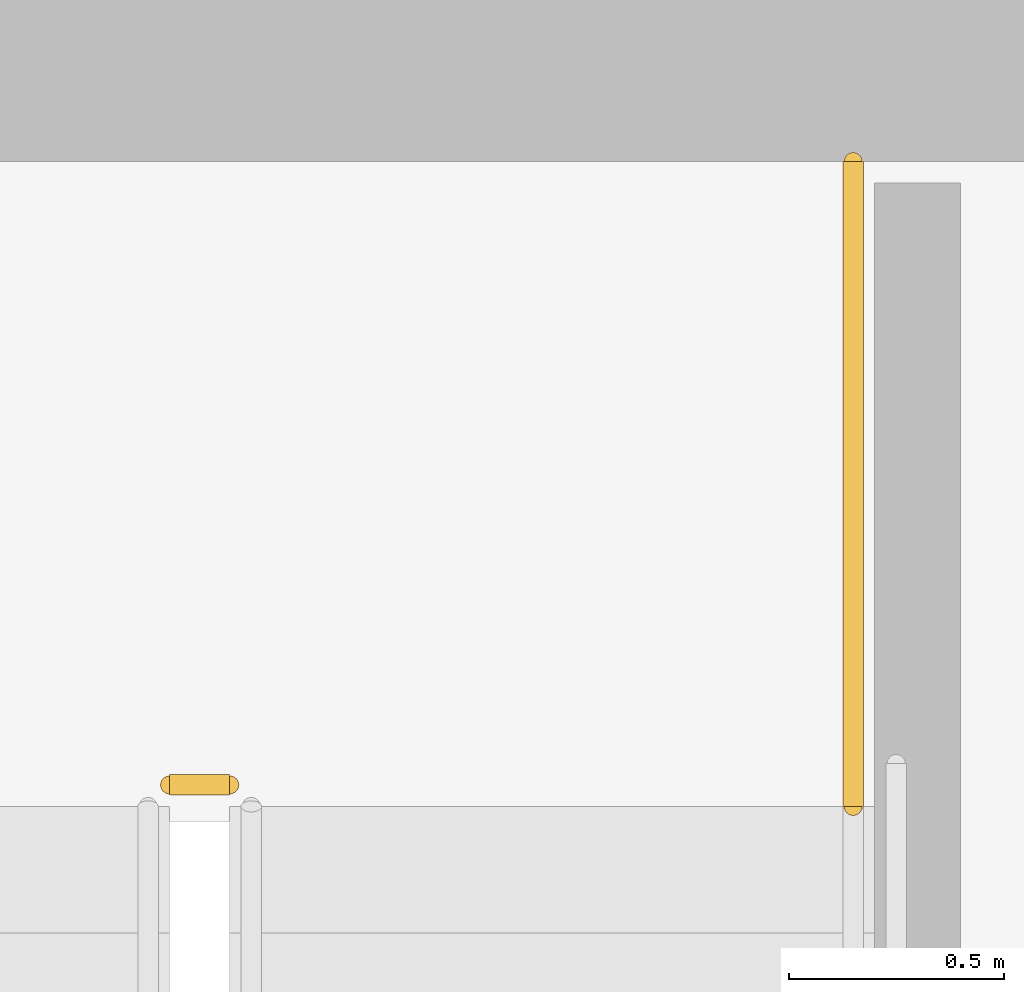
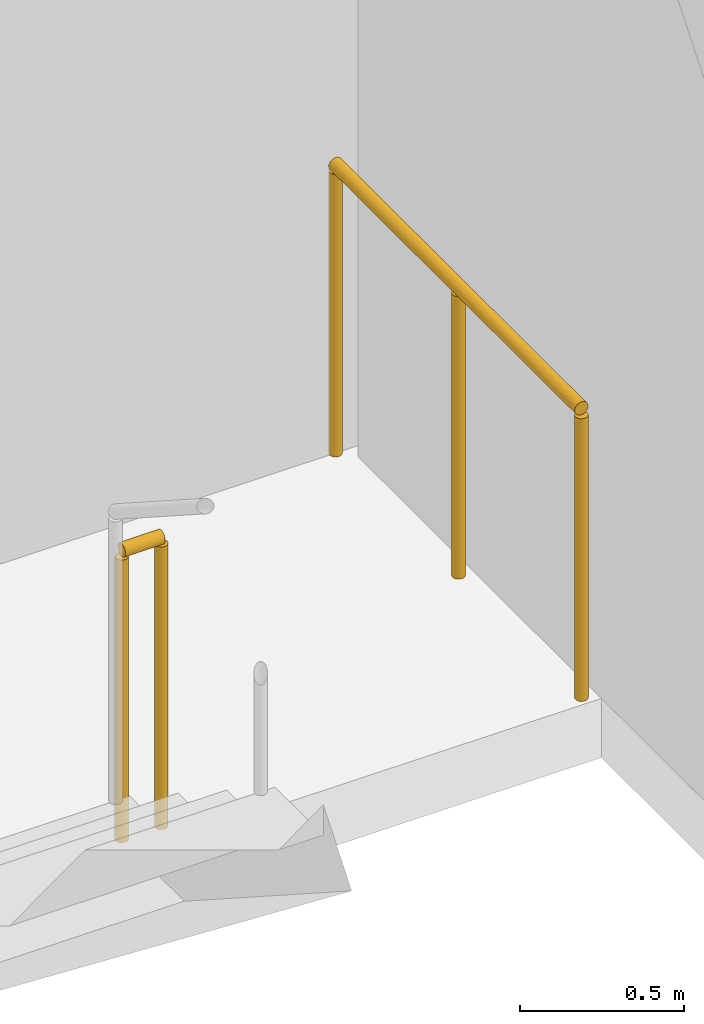
# One storey, part 32 of 32: 2 railings.
"""IFC4 building model written with IfcOpenShell, lengths in metres."""

from ifc_helpers import new_model, si_unit, direction, frame, origin, origin_2d, place, context, subcontext, project, spatial, circle, extrude, material, layer, layer_set, type_object, element, save


model = new_model("IFC4")

# Units and contexts
model_context = context("Model", 3, precision=1e-05, world=origin(), true_north=direction((0.0, 1.0)))
body_context = subcontext(model_context, "Body", "Model", "MODEL_VIEW")
ifc_project = project(units=[si_unit("LENGTHUNIT", "METRE"), si_unit("AREAUNIT", "SQUARE_METRE"), si_unit("VOLUMEUNIT", "CUBIC_METRE"), si_unit("PLANEANGLEUNIT", "RADIAN"), si_unit("MASSUNIT", "GRAM", prefix="KILO")], contexts=[model_context])

# Site, building, storey
site_placement = place(None, origin())
site = spatial("IfcSite", under=ifc_project, at=site_placement, CompositionType="ELEMENT")
building_placement = place(site_placement, origin())
building = spatial("IfcBuilding", under=site, at=building_placement, Name="Ndaravel Arena Tower", CompositionType="ELEMENT")
storey_placement = place(building_placement, frame((0.0, 0.0, 77.800048828125)))
storey = spatial("IfcBuildingStorey", under=building, at=storey_placement, Name="L17", CompositionType="ELEMENT", Elevation=77.800048828125)

# Railings
ifc_material = material(Name="Steel S355", Category="steel")
ifc_layer = layer(ifc_material, 0.06005859375)
ifc_layer_set = layer_set([ifc_layer], Name="Steel S355")
railing_type = type_object("IfcRailingType", Name="RAIL-STAIR-GD1100", PredefinedType="GUARDRAIL", material=ifc_layer_set)
railing_1_placement = place(storey_placement, frame((55.10009765625, 13.300048828125, 0.0)))
element("IfcRailing", 1, at=railing_1_placement, inside=storey, type_object=railing_type, Name="L17 ST-3 stair guard 4", PredefinedType="GUARDRAIL", context=body_context, shape_type="SweptSolid", body=[
    extrude(circle(Radius=0.02392578125, at=origin_2d()), frame((0.0, 0.0, 1.076171875), z_axis=(1.0, 0.0, 0.0), x_axis=(0.0, 1.0, 0.0)), (0.0, 0.0, 1.0), 0.139892578125),
    extrude(circle(Radius=0.02099609375, at=origin_2d()), origin(), (0.0, 0.0, 1.0), 1.052001953125),
    extrude(circle(Radius=0.02099609375, at=origin_2d()), frame((0.139892578125, 0.0, 0.0)), (0.0, 0.0, 1.0), 1.052001953125),
])
railing_2_placement = place(storey_placement, frame((56.68994140625, 14.75, 0.0)))
element("IfcRailing", 2, at=railing_2_placement, inside=storey, type_object=railing_type, Name="L17 ST-3 stair guard 5", PredefinedType="GUARDRAIL", context=body_context, shape_type="SweptSolid", body=[
    extrude(circle(Radius=0.02392578125, at=origin_2d()), frame((0.0, 0.0, 1.076171875), z_axis=(0.0, -1.0, 0.0), x_axis=(1.0, 0.0, 0.0)), (0.0, 0.0, 1.0), 1.5),
    extrude(circle(Radius=0.02099609375, at=origin_2d()), origin(), (0.0, 0.0, 1.0), 1.052001953125),
    extrude(circle(Radius=0.02099609375, at=origin_2d()), frame((0.0, -0.75, 0.0)), (0.0, 0.0, 1.0), 1.052001953125),
    extrude(circle(Radius=0.02099609375, at=origin_2d()), frame((0.0, -1.5, 0.0)), (0.0, 0.0, 1.0), 1.052001953125),
])

save(model, "model.ifc")
